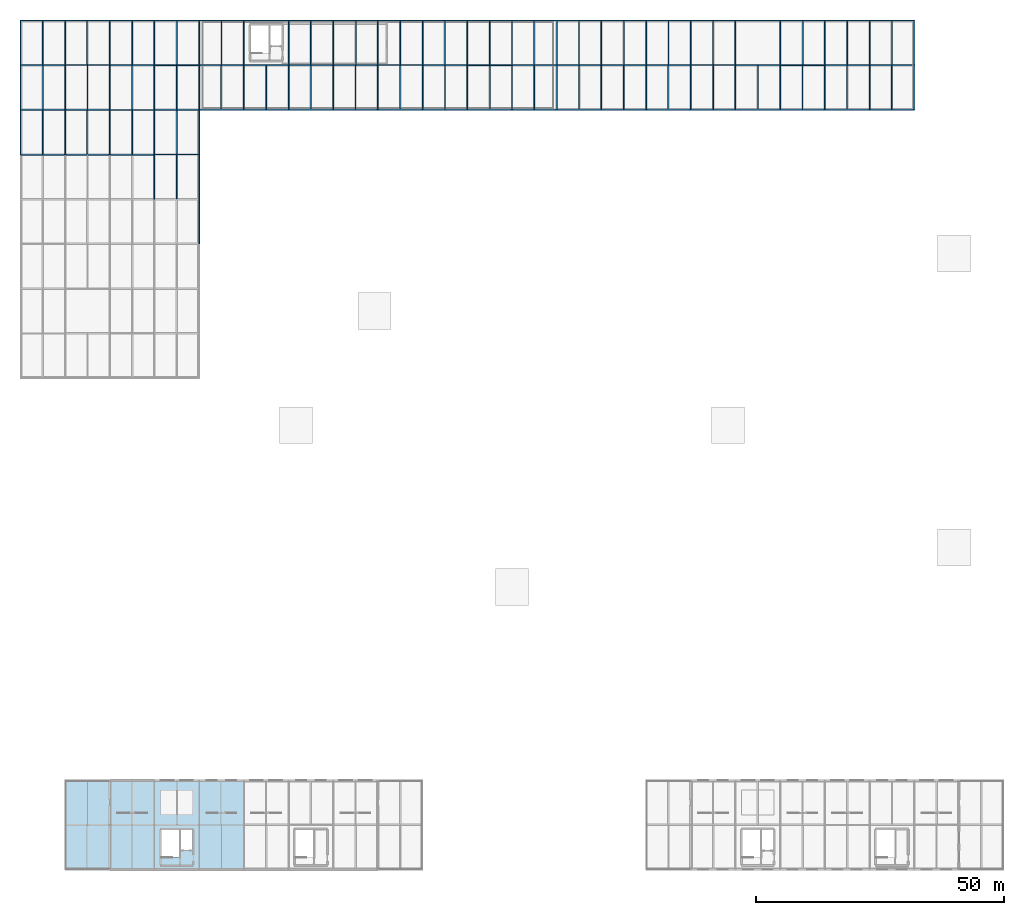
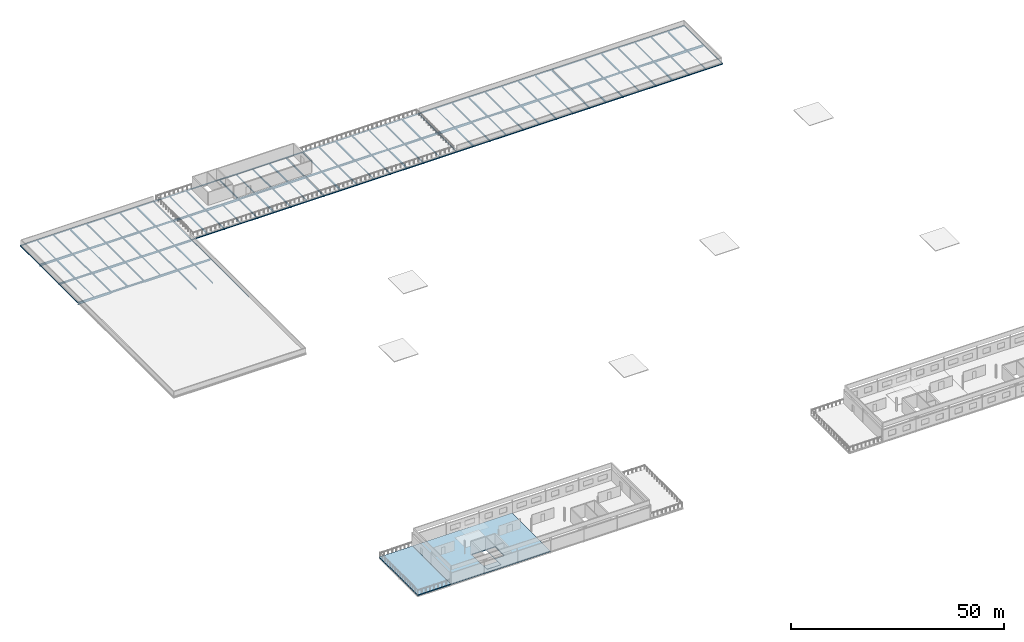
# One storey, part 7 of 18: 157 beams, 3 slabs.
"""IFC4 building model written with IfcOpenShell, lengths in metres."""

from ifc_helpers import new_model, si_unit, direction, frame, origin, origin_2d, place, context, subcontext, project, spatial, polyline, hollow_rectangle, i_section, outline, extrude, material, layer, layer_set, material_profile, profile_set, type_object, element, save


model = new_model("IFC4")

# Units and contexts
model_context = context("Model", 3, precision=1e-05, world=origin(), true_north=direction((0.0, 1.0)))
body_context = subcontext(model_context, "Body", "Model", "MODEL_VIEW")
ifc_project = project(units=[si_unit("LENGTHUNIT", "METRE"), si_unit("AREAUNIT", "SQUARE_METRE"), si_unit("VOLUMEUNIT", "CUBIC_METRE"), si_unit("PLANEANGLEUNIT", "RADIAN"), si_unit("MASSUNIT", "GRAM", prefix="KILO")], contexts=[model_context])

# Site, building, storey
site_placement = place(None, origin())
site = spatial("IfcSite", under=ifc_project, at=site_placement, CompositionType="ELEMENT")
building_placement = place(site_placement, origin())
building = spatial("IfcBuilding", under=site, at=building_placement, Name="Kildeholm Park Wholesale Market", CompositionType="ELEMENT")
storey_placement = place(building_placement, frame((0.0, 0.0, 13.5)))
storey = spatial("IfcBuildingStorey", under=building, at=storey_placement, Name="L03", CompositionType="ELEMENT", Elevation=13.5)

# Beams
ifc_material_1 = material(Name="Steel S355", Category="steel")
ifc_material_profile_1 = material_profile(ifc_material_1, i_section(OverallWidth=0.18994140625, OverallDepth=0.449951171875, WebThickness=0.009521484375, FlangeThickness=0.0146484375, FilletRadius=0.02099609375, at=origin_2d()), Name="IPE 450")
ifc_profile_set_1 = profile_set([ifc_material_profile_1], Name="Steel S355")
beam_type_1 = type_object("IfcBeamType", Name="Beam B-P02 IPE 450", PredefinedType="BEAM", material=ifc_profile_set_1)
for number, where, z_axis, x_axis, name in (
    (1, (45.0, 153.0, -0.514892578125), (0.0, 1.0, 0.0), (-1.0, 0.0, 0.0), "Beam BM-V4-L03-Y-045-153 BM-1058"),
    (2, (45.0, 162.0, -0.514892578125), (0.0, 1.0, 0.0), (-1.0, 0.0, 0.0), "Beam BM-V4-L03-Y-045-162 BM-1061"),
    (3, (54.0, 153.0, -0.514892578125), (0.0, 1.0, 0.0), (-1.0, 0.0, 0.0), "Beam BM-V4-L03-Y-054-153 BM-1064"),
    (4, (54.0, 162.0, -0.514892578125), (0.0, 1.0, 0.0), (-1.0, 0.0, 0.0), "Beam BM-V4-L03-Y-054-162 BM-1067"),
    (5, (63.0, 153.0, -0.514892578125), (0.0, 1.0, 0.0), (-1.0, 0.0, 0.0), "Beam BM-V4-L03-Y-063-153 BM-1071"),
    (6, (63.0, 162.0, -0.514892578125), (0.0, 1.0, 0.0), (-1.0, 0.0, 0.0), "Beam BM-V4-L03-Y-063-162 BM-1074"),
    (7, (72.0, 153.0, -0.514892578125), (0.0, 1.0, 0.0), (-1.0, 0.0, 0.0), "Beam BM-V4-L03-Y-072-153 BM-1078"),
    (8, (72.0, 162.0, -0.514892578125), (0.0, 1.0, 0.0), (-1.0, 0.0, 0.0), "Beam BM-V4-L03-Y-072-162 BM-1081"),
    (9, (81.0, 153.0, -0.514892578125), (0.0, 1.0, 0.0), (-1.0, 0.0, 0.0), "Beam BM-V4-L03-Y-081-153 BM-1085"),
    (10, (81.0, 162.0, -0.514892578125), (0.0, 1.0, 0.0), (-1.0, 0.0, 0.0), "Beam BM-V4-L03-Y-081-162 BM-1088"),
    (11, (90.0, 153.0, -0.514892578125), (0.0, 1.0, 0.0), (-1.0, 0.0, 0.0), "Beam BM-V4-L03-Y-090-153 BM-1092"),
    (12, (90.0, 162.0, -0.514892578125), (0.0, 1.0, 0.0), (-1.0, 0.0, 0.0), "Beam BM-V4-L03-Y-090-162 BM-1095"),
    (13, (99.0, 153.0, -0.514892578125), (0.0, 1.0, 0.0), (-1.0, 0.0, 0.0), "Beam BM-V4-L03-Y-099-153 BM-1099"),
    (14, (99.0, 162.0, -0.514892578125), (0.0, 1.0, 0.0), (-1.0, 0.0, 0.0), "Beam BM-V4-L03-Y-099-162 BM-1102"),
    (15, (117.0, 153.0, -0.5048828125), (0.0, 1.0, 0.0), (-1.0, 0.0, 0.0), "Beam BM-V4-L03-Y-117-153 BM-1113"),
    (16, (117.0, 162.0, -0.5048828125), (0.0, 1.0, 0.0), (-1.0, 0.0, 0.0), "Beam BM-V4-L03-Y-117-162 BM-1116"),
    (17, (126.0, 153.0, -0.5048828125), (0.0, 1.0, 0.0), (-1.0, 0.0, 0.0), "Beam BM-V4-L03-Y-126-153 BM-1120"),
    (18, (126.0, 162.0, -0.5048828125), (0.0, 1.0, 0.0), (-1.0, 0.0, 0.0), "Beam BM-V4-L03-Y-126-162 BM-1123"),
    (19, (135.0, 153.0, -0.5048828125), (0.0, 1.0, 0.0), (-1.0, 0.0, 0.0), "Beam BM-V4-L03-Y-135-153 BM-1127"),
    (20, (135.0, 162.0, -0.5048828125), (0.0, 1.0, 0.0), (-1.0, 0.0, 0.0), "Beam BM-V4-L03-Y-135-162 BM-1130"),
    (21, (144.0, 153.0, -0.5048828125), (0.0, 1.0, 0.0), (-1.0, 0.0, 0.0), "Beam BM-V4-L03-Y-144-153 BM-1134"),
    (22, (144.0, 162.0, -0.5048828125), (0.0, 1.0, 0.0), (-1.0, 0.0, 0.0), "Beam BM-V4-L03-Y-144-162 BM-1137"),
    (23, (153.0, 153.0, -0.5048828125), (0.0, 1.0, 0.0), (-1.0, 0.0, 0.0), "Beam BM-V4-L03-Y-153-153 BM-1140"),
    (24, (153.0, 162.0, -0.5048828125), (0.0, 1.0, 0.0), (-1.0, 0.0, 0.0), "Beam BM-V4-L03-Y-153-162 BM-1143"),
    (25, (162.0, 153.0, -0.5048828125), (0.0, 1.0, 0.0), (-1.0, 0.0, 0.0), "Beam BM-V4-L03-Y-162-153 BM-1147"),
    (26, (162.0, 162.0, -0.5048828125), (0.0, 1.0, 0.0), (-1.0, 0.0, 0.0), "Beam BM-V4-L03-Y-162-162 BM-1150"),
    (27, (171.0, 153.0, -0.5048828125), (0.0, 1.0, 0.0), (-1.0, 0.0, 0.0), "Beam BM-V4-L03-Y-171-153 BM-1154"),
    (28, (171.0, 162.0, -0.5048828125), (0.0, 1.0, 0.0), (-1.0, 0.0, 0.0), "Beam BM-V4-L03-Y-171-162 BM-1157"),
    (29, (9.0, 144.0, -0.5048828125), (0.0, 1.0, 0.0), (-1.0, 0.0, 0.0), "Beam BM-V4-L03-Y-009-144 BM-1202"),
    (30, (9.0, 153.0, -0.5048828125), (0.0, 1.0, 0.0), (-1.0, 0.0, 0.0), "Beam BM-V4-L03-Y-009-153 BM-1205"),
    (31, (9.0, 162.0, -0.5048828125), (0.0, 1.0, 0.0), (-1.0, 0.0, 0.0), "Beam BM-V4-L03-Y-009-162 BM-1208"),
    (32, (18.0, 144.0, -0.5048828125), (0.0, 1.0, 0.0), (-1.0, 0.0, 0.0), "Beam BM-V4-L03-Y-018-144 BM-1227"),
    (33, (18.0, 153.0, -0.5048828125), (0.0, 1.0, 0.0), (-1.0, 0.0, 0.0), "Beam BM-V4-L03-Y-018-153 BM-1230"),
    (34, (18.0, 162.0, -0.5048828125), (0.0, 1.0, 0.0), (-1.0, 0.0, 0.0), "Beam BM-V4-L03-Y-018-162 BM-1233"),
    (35, (27.0, 135.0, -0.5048828125), (0.0, 1.0, 0.0), (-1.0, 0.0, 0.0), "Beam BM-V4-L03-Y-027-135 BM-1249"),
    (36, (27.0, 144.0, -0.5048828125), (0.0, 1.0, 0.0), (-1.0, 0.0, 0.0), "Beam BM-V4-L03-Y-027-144 BM-1252"),
    (37, (27.0, 153.0, -0.5048828125), (0.0, 1.0, 0.0), (-1.0, 0.0, 0.0), "Beam BM-V4-L03-Y-027-153 BM-1255"),
    (38, (27.0, 162.0, -0.5048828125), (0.0, 1.0, 0.0), (-1.0, 0.0, 0.0), "Beam BM-V4-L03-Y-027-162 BM-1258"),
):
    element("IfcBeam", number, at=place(storey_placement, frame(where, z_axis=z_axis, x_axis=x_axis)), inside=storey, type_object=beam_type_1, Name=name, PredefinedType="BEAM", context=body_context, shape_type="SweptSolid", body=[
        extrude(i_section(OverallWidth=0.18994140625, OverallDepth=0.449951171875, WebThickness=0.009521484375, FlangeThickness=0.0146484375, FilletRadius=0.02099609375, at=origin_2d()), origin(), (0.0, 0.0, 1.0), 9.0),
    ])
ifc_material_profile_2 = material_profile(ifc_material_1, i_section(OverallWidth=0.199951171875, OverallDepth=0.5, WebThickness=0.01025390625, FlangeThickness=0.01611328125, FilletRadius=0.02099609375, at=origin_2d()), Name="IPE 500")
ifc_profile_set_2 = profile_set([ifc_material_profile_2], Name="Steel S355")
beam_type_2 = type_object("IfcBeamType", Name="Beam B-P03 IPE 500", PredefinedType="BEAM", material=ifc_profile_set_2)
for number, where, z_axis, x_axis, name in (
    (39, (90.0, 162.0, -0.5400390625), (1.0, 0.0, 0.0), (0.0, 1.0, 0.0), "Beam BM-V4-L03-X-090-162 BM-1094"),
    (40, (153.0, 162.0, -0.530029296875), (1.0, 0.0, 0.0), (0.0, 1.0, 0.0), "Beam BM-V4-L03-X-153-162 BM-1142"),
    (41, (27.0, 162.0, -0.530029296875), (1.0, 0.0, 0.0), (0.0, 1.0, 0.0), "Beam BM-V4-L03-X-027-162 BM-1257"),
):
    element("IfcBeam", number, at=place(storey_placement, frame(where, z_axis=z_axis, x_axis=x_axis)), inside=storey, type_object=beam_type_2, Name=name, PredefinedType="BEAM", context=body_context, shape_type="SweptSolid", body=[
        extrude(i_section(OverallWidth=0.199951171875, OverallDepth=0.5, WebThickness=0.01025390625, FlangeThickness=0.01611328125, FilletRadius=0.02099609375, at=origin_2d()), origin(), (0.0, 0.0, 1.0), 9.0),
    ])
ifc_material_profile_3 = material_profile(ifc_material_1, i_section(OverallWidth=0.2099609375, OverallDepth=0.550048828125, WebThickness=0.010986328125, FlangeThickness=0.01708984375, FilletRadius=0.02392578125, at=origin_2d()), Name="IPE 550")
ifc_profile_set_3 = profile_set([ifc_material_profile_3], Name="Steel S355")
beam_type_3 = type_object("IfcBeamType", Name="Beam B-X01 IPE 550", PredefinedType="BEAM", material=ifc_profile_set_3)
for number, where, z_axis, x_axis, name in (
    (42, (72.0, 162.0, -0.56494140625), (1.0, 0.0, 0.0), (0.0, 1.0, 0.0), "Beam BM-V4-L03-X-072-162 BM-1080"),
    (43, (135.0, 162.0, -0.554931640625), (1.0, 0.0, 0.0), (0.0, 1.0, 0.0), "Beam BM-V4-L03-X-135-162 BM-1129"),
    (44, (9.0, 162.0, -0.554931640625), (1.0, 0.0, 0.0), (0.0, 1.0, 0.0), "Beam BM-V4-L03-X-009-162 BM-1207"),
    (45, (18.0, 153.0, -0.554931640625), (1.0, 0.0, 0.0), (0.0, 1.0, 0.0), "Beam BM-V4-L03-X-018-153 BM-1229"),
    (46, (27.0, 144.0, -0.554931640625), (1.0, 0.0, 0.0), (0.0, 1.0, 0.0), "Beam BM-V4-L03-X-027-144 BM-1251"),
):
    element("IfcBeam", number, at=place(storey_placement, frame(where, z_axis=z_axis, x_axis=x_axis)), inside=storey, type_object=beam_type_3, Name=name, PredefinedType="BEAM", context=body_context, shape_type="SweptSolid", body=[
        extrude(i_section(OverallWidth=0.2099609375, OverallDepth=0.550048828125, WebThickness=0.010986328125, FlangeThickness=0.01708984375, FilletRadius=0.02392578125, at=origin_2d()), origin(), (0.0, 0.0, 1.0), 9.0),
    ])
ifc_material_profile_4 = material_profile(ifc_material_1, i_section(OverallWidth=0.300048828125, OverallDepth=0.5400390625, WebThickness=0.012451171875, FlangeThickness=0.02392578125, FilletRadius=0.027099609375, at=origin_2d()), Name="HEA 550")
ifc_profile_set_4 = profile_set([ifc_material_profile_4], Name="Steel S355")
beam_type_4 = type_object("IfcBeamType", Name="Beam B-X02 HEA 550", PredefinedType="BEAM", material=ifc_profile_set_4)
for number, where, z_axis, x_axis, name in (
    (47, (81.0, 162.0, -0.56005859375), (1.0, 0.0, 0.0), (0.0, 1.0, 0.0), "Beam BM-V4-L03-X-081-162 BM-1087"),
    (48, (144.0, 162.0, -0.550048828125), (1.0, 0.0, 0.0), (0.0, 1.0, 0.0), "Beam BM-V4-L03-X-144-162 BM-1136"),
    (49, (18.0, 162.0, -0.550048828125), (1.0, 0.0, 0.0), (0.0, 1.0, 0.0), "Beam BM-V4-L03-X-018-162 BM-1232"),
    (50, (27.0, 153.0, -0.550048828125), (1.0, 0.0, 0.0), (0.0, 1.0, 0.0), "Beam BM-V4-L03-X-027-153 BM-1254"),
):
    element("IfcBeam", number, at=place(storey_placement, frame(where, z_axis=z_axis, x_axis=x_axis)), inside=storey, type_object=beam_type_4, Name=name, PredefinedType="BEAM", context=body_context, shape_type="SweptSolid", body=[
        extrude(i_section(OverallWidth=0.300048828125, OverallDepth=0.5400390625, WebThickness=0.012451171875, FlangeThickness=0.02392578125, FilletRadius=0.027099609375, at=origin_2d()), origin(), (0.0, 0.0, 1.0), 9.0),
    ])
ifc_material_profile_5 = material_profile(ifc_material_1, i_section(OverallWidth=0.300048828125, OverallDepth=0.550048828125, WebThickness=0.014892578125, FlangeThickness=0.029052734375, FilletRadius=0.027099609375, at=origin_2d()), Name="HEB 550")
ifc_profile_set_5 = profile_set([ifc_material_profile_5], Name="Steel S355")
beam_type_5 = type_object("IfcBeamType", Name="Beam B-X03 HEB 550", PredefinedType="BEAM", material=ifc_profile_set_5)
for number, where, z_axis, x_axis, name in (
    (51, (36.0, 162.0, -0.56494140625), (1.0, 0.0, 0.0), (0.0, 1.0, 0.0), "Beam BM-V4-L03-X-036-162 BM-1053"),
    (52, (99.0, 162.0, -0.56494140625), (1.0, 0.0, 0.0), (0.0, 1.0, 0.0), "Beam BM-V4-L03-X-099-162 BM-1101"),
    (53, (162.0, 162.0, -0.554931640625), (1.0, 0.0, 0.0), (0.0, 1.0, 0.0), "Beam BM-V4-L03-X-162-162 BM-1149"),
):
    element("IfcBeam", number, at=place(storey_placement, frame(where, z_axis=z_axis, x_axis=x_axis)), inside=storey, type_object=beam_type_5, Name=name, PredefinedType="BEAM", context=body_context, shape_type="SweptSolid", body=[
        extrude(i_section(OverallWidth=0.300048828125, OverallDepth=0.550048828125, WebThickness=0.014892578125, FlangeThickness=0.029052734375, FilletRadius=0.027099609375, at=origin_2d()), origin(), (0.0, 0.0, 1.0), 9.0),
    ])
ifc_material_profile_6 = material_profile(ifc_material_1, i_section(OverallWidth=0.300048828125, OverallDepth=0.64990234375, WebThickness=0.01611328125, FlangeThickness=0.031005859375, FilletRadius=0.027099609375, at=origin_2d()), Name="HEB 650")
ifc_profile_set_6 = profile_set([ifc_material_profile_6], Name="Steel S355")
beam_type_6 = type_object("IfcBeamType", Name="Beam B-X04 HEB 650", PredefinedType="BEAM", material=ifc_profile_set_6)
for number, where, z_axis, x_axis, name in (
    (54, (45.0, 162.0, -0.614990234375), (1.0, 0.0, 0.0), (0.0, 1.0, 0.0), "Beam BM-V4-L03-X-045-162 BM-1060"),
    (55, (108.0, 162.0, -0.60498046875), (1.0, 0.0, 0.0), (0.0, 1.0, 0.0), "Beam BM-V4-L03-X-108-162 BM-1109"),
    (56, (171.0, 162.0, -0.60498046875), (1.0, 0.0, 0.0), (0.0, 1.0, 0.0), "Beam BM-V4-L03-X-171-162 BM-1156"),
    (57, (0.0, 144.0, -0.60498046875), (1.0, 0.0, 0.0), (0.0, 1.0, 0.0), "Beam BM-V4-L03-X-000-144 BM-1177"),
):
    element("IfcBeam", number, at=place(storey_placement, frame(where, z_axis=z_axis, x_axis=x_axis)), inside=storey, type_object=beam_type_6, Name=name, PredefinedType="BEAM", context=body_context, shape_type="SweptSolid", body=[
        extrude(i_section(OverallWidth=0.300048828125, OverallDepth=0.64990234375, WebThickness=0.01611328125, FlangeThickness=0.031005859375, FilletRadius=0.027099609375, at=origin_2d()), origin(), (0.0, 0.0, 1.0), 9.0),
    ])
ifc_material_profile_7 = material_profile(ifc_material_1, i_section(OverallWidth=0.300048828125, OverallDepth=0.5, WebThickness=0.014404296875, FlangeThickness=0.028076171875, FilletRadius=0.027099609375, at=origin_2d()), Name="HEB 500")
ifc_profile_set_7 = profile_set([ifc_material_profile_7], Name="Steel S355")
beam_type_7 = type_object("IfcBeamType", Name="Beam B-X05 HEB 500", PredefinedType="BEAM", material=ifc_profile_set_7)
for number, where, z_axis, x_axis, name in (
    (58, (54.0, 162.0, -0.5400390625), (1.0, 0.0, 0.0), (0.0, 1.0, 0.0), "Beam BM-V4-L03-X-054-162 BM-1066"),
    (59, (117.0, 162.0, -0.530029296875), (1.0, 0.0, 0.0), (0.0, 1.0, 0.0), "Beam BM-V4-L03-X-117-162 BM-1115"),
    (60, (0.0, 153.0, -0.530029296875), (1.0, 0.0, 0.0), (0.0, 1.0, 0.0), "Beam BM-V4-L03-X-000-153 BM-1180"),
    (61, (9.0, 144.0, -0.530029296875), (1.0, 0.0, 0.0), (0.0, 1.0, 0.0), "Beam BM-V4-L03-X-009-144 BM-1201"),
):
    element("IfcBeam", number, at=place(storey_placement, frame(where, z_axis=z_axis, x_axis=x_axis)), inside=storey, type_object=beam_type_7, Name=name, PredefinedType="BEAM", context=body_context, shape_type="SweptSolid", body=[
        extrude(i_section(OverallWidth=0.300048828125, OverallDepth=0.5, WebThickness=0.014404296875, FlangeThickness=0.028076171875, FilletRadius=0.027099609375, at=origin_2d()), origin(), (0.0, 0.0, 1.0), 9.0),
    ])
ifc_material_profile_8 = material_profile(ifc_material_1, i_section(OverallWidth=0.300048828125, OverallDepth=0.60009765625, WebThickness=0.015380859375, FlangeThickness=0.030029296875, FilletRadius=0.027099609375, at=origin_2d()), Name="HEB 600")
ifc_profile_set_8 = profile_set([ifc_material_profile_8], Name="Steel S355")
beam_type_8 = type_object("IfcBeamType", Name="Beam B-X06 HEB 600", PredefinedType="BEAM", material=ifc_profile_set_8)
for number, where, z_axis, x_axis, name in (
    (62, (63.0, 162.0, -0.590087890625), (1.0, 0.0, 0.0), (0.0, 1.0, 0.0), "Beam BM-V4-L03-X-063-162 BM-1073"),
    (63, (126.0, 162.0, -0.580078125), (1.0, 0.0, 0.0), (0.0, 1.0, 0.0), "Beam BM-V4-L03-X-126-162 BM-1122"),
    (64, (0.0, 162.0, -0.580078125), (1.0, 0.0, 0.0), (0.0, 1.0, 0.0), "Beam BM-V4-L03-X-000-162 BM-1183"),
    (65, (9.0, 153.0, -0.580078125), (1.0, 0.0, 0.0), (0.0, 1.0, 0.0), "Beam BM-V4-L03-X-009-153 BM-1204"),
    (66, (18.0, 144.0, -0.580078125), (1.0, 0.0, 0.0), (0.0, 1.0, 0.0), "Beam BM-V4-L03-X-018-144 BM-1226"),
):
    element("IfcBeam", number, at=place(storey_placement, frame(where, z_axis=z_axis, x_axis=x_axis)), inside=storey, type_object=beam_type_8, Name=name, PredefinedType="BEAM", context=body_context, shape_type="SweptSolid", body=[
        extrude(i_section(OverallWidth=0.300048828125, OverallDepth=0.60009765625, WebThickness=0.015380859375, FlangeThickness=0.030029296875, FilletRadius=0.027099609375, at=origin_2d()), origin(), (0.0, 0.0, 1.0), 9.0),
    ])
ifc_material_profile_9 = material_profile(ifc_material_1, i_section(OverallWidth=0.159912109375, OverallDepth=0.330078125, WebThickness=0.007568359375, FlangeThickness=0.011474609375, FilletRadius=0.01806640625, at=origin_2d()), Name="IPE 330")
ifc_profile_set_9 = profile_set([ifc_material_profile_9], Name="Steel S355")
beam_type_9 = type_object("IfcBeamType", Name="Beam J-03 IPE 330", PredefinedType="JOIST", material=ifc_profile_set_9)
for number, where, z_axis, x_axis, name in (
    (67, (40.5, 162.0849609375, -0.455078125), (0.0, 1.0, 0.0), (-1.0, 0.0, 0.0), "Beam JT-V4-L03-036-162 BM-1055"),
    (68, (49.5, 153.0849609375, -0.455078125), (0.0, 1.0, 0.0), (-1.0, 0.0, 0.0), "Beam JT-V4-L03-045-153 BM-1059"),
    (69, (58.5, 162.0849609375, -0.455078125), (0.0, 1.0, 0.0), (-1.0, 0.0, 0.0), "Beam JT-V4-L03-054-162 BM-1068"),
    (70, (67.5, 153.0849609375, -0.455078125), (0.0, 1.0, 0.0), (-1.0, 0.0, 0.0), "Beam JT-V4-L03-063-153 BM-1072"),
    (71, (76.5, 162.0849609375, -0.455078125), (0.0, 1.0, 0.0), (-1.0, 0.0, 0.0), "Beam JT-V4-L03-072-162 BM-1082"),
    (72, (85.5, 153.0849609375, -0.455078125), (0.0, 1.0, 0.0), (-1.0, 0.0, 0.0), "Beam JT-V4-L03-081-153 BM-1086"),
    (73, (94.5, 162.0849609375, -0.455078125), (0.0, 1.0, 0.0), (-1.0, 0.0, 0.0), "Beam JT-V4-L03-090-162 BM-1096"),
    (74, (103.5, 153.0849609375, -0.455078125), (0.0, 1.0, 0.0), (-1.0, 0.0, 0.0), "Beam JT-V4-L03-099-153 BM-1100"),
    (75, (112.5, 162.0849609375, -0.445068359375), (0.0, 1.0, 0.0), (-1.0, 0.0, 0.0), "Beam JT-V4-L03-108-162 BM-1110"),
    (76, (121.5, 153.0849609375, -0.445068359375), (0.0, 1.0, 0.0), (-1.0, 0.0, 0.0), "Beam JT-V4-L03-117-153 BM-1114"),
    (77, (130.5, 162.0849609375, -0.445068359375), (0.0, 1.0, 0.0), (-1.0, 0.0, 0.0), "Beam JT-V4-L03-126-162 BM-1124"),
    (78, (139.5, 153.0849609375, -0.445068359375), (0.0, 1.0, 0.0), (-1.0, 0.0, 0.0), "Beam JT-V4-L03-135-153 BM-1128"),
    (79, (157.5, 153.0849609375, -0.445068359375), (0.0, 1.0, 0.0), (-1.0, 0.0, 0.0), "Beam JT-V4-L03-153-153 BM-1141"),
    (80, (166.5, 162.0849609375, -0.445068359375), (0.0, 1.0, 0.0), (-1.0, 0.0, 0.0), "Beam JT-V4-L03-162-162 BM-1151"),
    (81, (175.5, 153.0849609375, -0.445068359375), (0.0, 1.0, 0.0), (-1.0, 0.0, 0.0), "Beam JT-V4-L03-171-153 BM-1155"),
    (82, (4.5, 144.0849609375, -0.445068359375), (0.0, 1.0, 0.0), (-1.0, 0.0, 0.0), "Beam JT-V4-L03-000-144 BM-1179"),
    (83, (4.5, 162.0849609375, -0.445068359375), (0.0, 1.0, 0.0), (-1.0, 0.0, 0.0), "Beam JT-V4-L03-000-162 BM-1185"),
    (84, (13.5, 153.0849609375, -0.445068359375), (0.0, 1.0, 0.0), (-1.0, 0.0, 0.0), "Beam JT-V4-L03-009-153 BM-1206"),
    (85, (22.5, 144.0849609375, -0.445068359375), (0.0, 1.0, 0.0), (-1.0, 0.0, 0.0), "Beam JT-V4-L03-018-144 BM-1228"),
    (86, (22.5, 162.0849609375, -0.445068359375), (0.0, 1.0, 0.0), (-1.0, 0.0, 0.0), "Beam JT-V4-L03-018-162 BM-1234"),
    (87, (31.5, 135.0849609375, -0.445068359375), (0.0, 1.0, 0.0), (-1.0, 0.0, 0.0), "Beam JT-V4-L03-027-135 BM-1250"),
    (88, (31.5, 153.0849609375, -0.445068359375), (0.0, 1.0, 0.0), (-1.0, 0.0, 0.0), "Beam JT-V4-L03-027-153 BM-1256"),
):
    element("IfcBeam", number, at=place(storey_placement, frame(where, z_axis=z_axis, x_axis=x_axis)), inside=storey, type_object=beam_type_9, Name=name, PredefinedType="JOIST", context=body_context, shape_type="SweptSolid", body=[
        extrude(i_section(OverallWidth=0.159912109375, OverallDepth=0.330078125, WebThickness=0.007568359375, FlangeThickness=0.011474609375, FilletRadius=0.01806640625, at=origin_2d()), origin(), (0.0, 0.0, 1.0), 8.830078125),
    ])
ifc_material_profile_10 = material_profile(ifc_material_1, i_section(OverallWidth=0.300048828125, OverallDepth=0.389892578125, WebThickness=0.010986328125, FlangeThickness=0.01904296875, FilletRadius=0.027099609375, at=origin_2d()), Name="HEA 400")
ifc_profile_set_10 = profile_set([ifc_material_profile_10], Name="Steel S355")
beam_type_10 = type_object("IfcBeamType", Name="Beam J-06 HEA 400", PredefinedType="JOIST", material=ifc_profile_set_10)
for number, where, z_axis, x_axis, name in (
    (89, (40.5, 153.0849609375, -0.485107421875), (0.0, 1.0, 0.0), (-1.0, 0.0, 0.0), "Beam JT-V4-L03-036-153 BM-1052"),
    (90, (58.5, 153.0849609375, -0.485107421875), (0.0, 1.0, 0.0), (-1.0, 0.0, 0.0), "Beam JT-V4-L03-054-153 BM-1065"),
    (91, (67.5, 162.0849609375, -0.485107421875), (0.0, 1.0, 0.0), (-1.0, 0.0, 0.0), "Beam JT-V4-L03-063-162 BM-1075"),
    (92, (76.5, 153.0849609375, -0.485107421875), (0.0, 1.0, 0.0), (-1.0, 0.0, 0.0), "Beam JT-V4-L03-072-153 BM-1079"),
    (93, (85.5, 162.0849609375, -0.485107421875), (0.0, 1.0, 0.0), (-1.0, 0.0, 0.0), "Beam JT-V4-L03-081-162 BM-1089"),
    (94, (94.5, 153.0849609375, -0.485107421875), (0.0, 1.0, 0.0), (-1.0, 0.0, 0.0), "Beam JT-V4-L03-090-153 BM-1093"),
    (95, (103.5, 162.0849609375, -0.485107421875), (0.0, 1.0, 0.0), (-1.0, 0.0, 0.0), "Beam JT-V4-L03-099-162 BM-1103"),
    (96, (112.5, 153.0849609375, -0.47509765625), (0.0, 1.0, 0.0), (-1.0, 0.0, 0.0), "Beam JT-V4-L03-108-153 BM-1108"),
    (97, (121.5, 162.0849609375, -0.47509765625), (0.0, 1.0, 0.0), (-1.0, 0.0, 0.0), "Beam JT-V4-L03-117-162 BM-1117"),
    (98, (130.5, 153.0849609375, -0.47509765625), (0.0, 1.0, 0.0), (-1.0, 0.0, 0.0), "Beam JT-V4-L03-126-153 BM-1121"),
    (99, (139.5, 162.0849609375, -0.47509765625), (0.0, 1.0, 0.0), (-1.0, 0.0, 0.0), "Beam JT-V4-L03-135-162 BM-1131"),
    (100, (148.5, 153.0849609375, -0.47509765625), (0.0, 1.0, 0.0), (-1.0, 0.0, 0.0), "Beam JT-V4-L03-144-153 BM-1135"),
    (101, (157.5, 162.0849609375, -0.47509765625), (0.0, 1.0, 0.0), (-1.0, 0.0, 0.0), "Beam JT-V4-L03-153-162 BM-1144"),
    (102, (166.5, 153.0849609375, -0.47509765625), (0.0, 1.0, 0.0), (-1.0, 0.0, 0.0), "Beam JT-V4-L03-162-153 BM-1148"),
    (103, (175.5, 162.0849609375, -0.47509765625), (0.0, 1.0, 0.0), (-1.0, 0.0, 0.0), "Beam JT-V4-L03-171-162 BM-1158"),
    (104, (4.5, 153.0849609375, -0.47509765625), (0.0, 1.0, 0.0), (-1.0, 0.0, 0.0), "Beam JT-V4-L03-000-153 BM-1182"),
    (105, (13.5, 144.0849609375, -0.47509765625), (0.0, 1.0, 0.0), (-1.0, 0.0, 0.0), "Beam JT-V4-L03-009-144 BM-1203"),
    (106, (13.5, 162.0849609375, -0.47509765625), (0.0, 1.0, 0.0), (-1.0, 0.0, 0.0), "Beam JT-V4-L03-009-162 BM-1209"),
    (107, (22.5, 153.0849609375, -0.47509765625), (0.0, 1.0, 0.0), (-1.0, 0.0, 0.0), "Beam JT-V4-L03-018-153 BM-1231"),
    (108, (31.5, 144.0849609375, -0.47509765625), (0.0, 1.0, 0.0), (-1.0, 0.0, 0.0), "Beam JT-V4-L03-027-144 BM-1253"),
    (109, (31.5, 162.0849609375, -0.47509765625), (0.0, 1.0, 0.0), (-1.0, 0.0, 0.0), "Beam JT-V4-L03-027-162 BM-1259"),
):
    element("IfcBeam", number, at=place(storey_placement, frame(where, z_axis=z_axis, x_axis=x_axis)), inside=storey, type_object=beam_type_10, Name=name, PredefinedType="JOIST", context=body_context, shape_type="SweptSolid", body=[
        extrude(i_section(OverallWidth=0.300048828125, OverallDepth=0.389892578125, WebThickness=0.010986328125, FlangeThickness=0.01904296875, FilletRadius=0.027099609375, at=origin_2d()), origin(), (0.0, 0.0, 1.0), 8.830078125),
    ])
ifc_material_profile_11 = material_profile(ifc_material_1, hollow_rectangle(XDim=0.199951171875, YDim=0.300048828125, WallThickness=0.012451171875, InnerFilletRadius=0.012451171875, OuterFilletRadius=0.02490234375, at=origin_2d()), Name="RHS 300x200x12.5")
ifc_profile_set_11 = profile_set([ifc_material_profile_11], Name="Steel S355")
beam_type_11 = type_object("IfcBeamType", Name="Beam SP-01 RHS 300x200x12.5", PredefinedType="SPANDREL", material=ifc_profile_set_11)
for number, where, z_axis, x_axis, name in (
    (110, (36.0, 153.0, -0.43994140625), (1.0, 0.0, 0.0), (0.0, 1.0, 0.0), "Beam BM-V4-L03-X-036-153 BM-1050"),
    (111, (36.0, 171.0, -0.43994140625), (1.0, 0.0, 0.0), (0.0, 1.0, 0.0), "Beam BM-V4-L03-X-036-171 BM-1056"),
    (112, (45.0, 153.0, -0.43994140625), (1.0, 0.0, 0.0), (0.0, 1.0, 0.0), "Beam BM-V4-L03-X-045-153 BM-1057"),
    (113, (45.0, 171.0, -0.43994140625), (1.0, 0.0, 0.0), (0.0, 1.0, 0.0), "Beam BM-V4-L03-X-045-171 BM-1062"),
    (114, (54.0, 153.0, -0.43994140625), (1.0, 0.0, 0.0), (0.0, 1.0, 0.0), "Beam BM-V4-L03-X-054-153 BM-1063"),
    (115, (54.0, 171.0, -0.43994140625), (1.0, 0.0, 0.0), (0.0, 1.0, 0.0), "Beam BM-V4-L03-X-054-171 BM-1069"),
    (116, (63.0, 153.0, -0.43994140625), (1.0, 0.0, 0.0), (0.0, 1.0, 0.0), "Beam BM-V4-L03-X-063-153 BM-1070"),
    (117, (63.0, 171.0, -0.43994140625), (1.0, 0.0, 0.0), (0.0, 1.0, 0.0), "Beam BM-V4-L03-X-063-171 BM-1076"),
    (118, (72.0, 153.0, -0.43994140625), (1.0, 0.0, 0.0), (0.0, 1.0, 0.0), "Beam BM-V4-L03-X-072-153 BM-1077"),
    (119, (72.0, 171.0, -0.43994140625), (1.0, 0.0, 0.0), (0.0, 1.0, 0.0), "Beam BM-V4-L03-X-072-171 BM-1083"),
    (120, (81.0, 153.0, -0.43994140625), (1.0, 0.0, 0.0), (0.0, 1.0, 0.0), "Beam BM-V4-L03-X-081-153 BM-1084"),
    (121, (81.0, 171.0, -0.43994140625), (1.0, 0.0, 0.0), (0.0, 1.0, 0.0), "Beam BM-V4-L03-X-081-171 BM-1090"),
    (122, (90.0, 153.0, -0.43994140625), (1.0, 0.0, 0.0), (0.0, 1.0, 0.0), "Beam BM-V4-L03-X-090-153 BM-1091"),
    (123, (90.0, 171.0, -0.43994140625), (1.0, 0.0, 0.0), (0.0, 1.0, 0.0), "Beam BM-V4-L03-X-090-171 BM-1097"),
    (124, (99.0, 153.0, -0.43994140625), (1.0, 0.0, 0.0), (0.0, 1.0, 0.0), "Beam BM-V4-L03-X-099-153 BM-1098"),
    (125, (99.0, 171.0, -0.43994140625), (1.0, 0.0, 0.0), (0.0, 1.0, 0.0), "Beam BM-V4-L03-X-099-171 BM-1104"),
    (126, (108.0, 153.0, -0.429931640625), (1.0, 0.0, 0.0), (0.0, 1.0, 0.0), "Beam BM-V4-L03-X-108-153 BM-1107"),
    (127, (108.0, 171.0, -0.429931640625), (1.0, 0.0, 0.0), (0.0, 1.0, 0.0), "Beam BM-V4-L03-X-108-171 BM-1111"),
    (128, (117.0, 153.0, -0.429931640625), (1.0, 0.0, 0.0), (0.0, 1.0, 0.0), "Beam BM-V4-L03-X-117-153 BM-1112"),
    (129, (117.0, 171.0, -0.429931640625), (1.0, 0.0, 0.0), (0.0, 1.0, 0.0), "Beam BM-V4-L03-X-117-171 BM-1118"),
    (130, (126.0, 153.0, -0.429931640625), (1.0, 0.0, 0.0), (0.0, 1.0, 0.0), "Beam BM-V4-L03-X-126-153 BM-1119"),
    (131, (126.0, 171.0, -0.429931640625), (1.0, 0.0, 0.0), (0.0, 1.0, 0.0), "Beam BM-V4-L03-X-126-171 BM-1125"),
    (132, (135.0, 153.0, -0.429931640625), (1.0, 0.0, 0.0), (0.0, 1.0, 0.0), "Beam BM-V4-L03-X-135-153 BM-1126"),
    (133, (135.0, 171.0, -0.429931640625), (1.0, 0.0, 0.0), (0.0, 1.0, 0.0), "Beam BM-V4-L03-X-135-171 BM-1132"),
    (134, (144.0, 153.0, -0.429931640625), (1.0, 0.0, 0.0), (0.0, 1.0, 0.0), "Beam BM-V4-L03-X-144-153 BM-1133"),
    (135, (144.0, 171.0, -0.429931640625), (1.0, 0.0, 0.0), (0.0, 1.0, 0.0), "Beam BM-V4-L03-X-144-171 BM-1138"),
    (136, (153.0, 153.0, -0.429931640625), (1.0, 0.0, 0.0), (0.0, 1.0, 0.0), "Beam BM-V4-L03-X-153-153 BM-1139"),
    (137, (153.0, 171.0, -0.429931640625), (1.0, 0.0, 0.0), (0.0, 1.0, 0.0), "Beam BM-V4-L03-X-153-171 BM-1145"),
    (138, (162.0, 153.0, -0.429931640625), (1.0, 0.0, 0.0), (0.0, 1.0, 0.0), "Beam BM-V4-L03-X-162-153 BM-1146"),
    (139, (162.0, 171.0, -0.429931640625), (1.0, 0.0, 0.0), (0.0, 1.0, 0.0), "Beam BM-V4-L03-X-162-171 BM-1152"),
    (140, (171.0, 153.0, -0.429931640625), (1.0, 0.0, 0.0), (0.0, 1.0, 0.0), "Beam BM-V4-L03-X-171-153 BM-1153"),
    (141, (171.0, 171.0, -0.429931640625), (1.0, 0.0, 0.0), (0.0, 1.0, 0.0), "Beam BM-V4-L03-X-171-171 BM-1159"),
    (142, (0.0, 171.0, -0.429931640625), (1.0, 0.0, 0.0), (0.0, 1.0, 0.0), "Beam BM-V4-L03-X-000-171 BM-1186"),
    (143, (9.0, 171.0, -0.429931640625), (1.0, 0.0, 0.0), (0.0, 1.0, 0.0), "Beam BM-V4-L03-X-009-171 BM-1210"),
    (144, (18.0, 171.0, -0.429931640625), (1.0, 0.0, 0.0), (0.0, 1.0, 0.0), "Beam BM-V4-L03-X-018-171 BM-1235"),
    (145, (27.0, 171.0, -0.429931640625), (1.0, 0.0, 0.0), (0.0, 1.0, 0.0), "Beam BM-V4-L03-X-027-171 BM-1260"),
):
    element("IfcBeam", number, at=place(storey_placement, frame(where, z_axis=z_axis, x_axis=x_axis)), inside=storey, type_object=beam_type_11, Name=name, PredefinedType="SPANDREL", context=body_context, shape_type="SweptSolid", body=[
        extrude(hollow_rectangle(XDim=0.199951171875, YDim=0.300048828125, WallThickness=0.012451171875, InnerFilletRadius=0.012451171875, OuterFilletRadius=0.02490234375, at=origin_2d()), origin(), (0.0, 0.0, 1.0), 9.0),
    ])
ifc_material_profile_12 = material_profile(ifc_material_1, hollow_rectangle(XDim=0.14990234375, YDim=0.25, WallThickness=0.010009765625, InnerFilletRadius=0.010009765625, OuterFilletRadius=0.02001953125, at=origin_2d()), Name="RHS 250x150x10")
ifc_profile_set_12 = profile_set([ifc_material_profile_12], Name="Steel S355")
beam_type_12 = type_object("IfcBeamType", Name="Beam SP-02 RHS 250x150x10", PredefinedType="SPANDREL", material=ifc_profile_set_12)
for number, where, z_axis, x_axis, name in (
    (146, (36.0, 153.0, -0.4150390625), (0.0, 1.0, 0.0), (-1.0, 0.0, 0.0), "Beam BM-V4-L03-Y-036-153 BM-1051"),
    (147, (36.0, 162.0, -0.4150390625), (0.0, 1.0, 0.0), (-1.0, 0.0, 0.0), "Beam BM-V4-L03-Y-036-162 BM-1054"),
    (148, (108.0, 153.0, -0.4150390625), (0.0, 1.0, 0.0), (-1.0, 0.0, 0.0), "Beam BM-V4-L03-Y-108-153 BM-1105"),
    (149, (108.0, 162.0, -0.4150390625), (0.0, 1.0, 0.0), (-1.0, 0.0, 0.0), "Beam BM-V4-L03-Y-108-162 BM-1106"),
    (150, (180.0, 153.0, -0.405029296875), (0.0, 1.0, 0.0), (-1.0, 0.0, 0.0), "Beam BM-V4-L03-Y-180-153 BM-1160"),
    (151, (180.0, 162.0, -0.405029296875), (0.0, 1.0, 0.0), (-1.0, 0.0, 0.0), "Beam BM-V4-L03-Y-180-162 BM-1161"),
    (152, (0.0, 144.0, -0.405029296875), (0.0, 1.0, 0.0), (-1.0, 0.0, 0.0), "Beam BM-V4-L03-Y-000-144 BM-1178"),
    (153, (0.0, 153.0, -0.405029296875), (0.0, 1.0, 0.0), (-1.0, 0.0, 0.0), "Beam BM-V4-L03-Y-000-153 BM-1181"),
    (154, (0.0, 162.0, -0.405029296875), (0.0, 1.0, 0.0), (-1.0, 0.0, 0.0), "Beam BM-V4-L03-Y-000-162 BM-1184"),
    (155, (36.0, 126.0, -0.405029296875), (0.0, 1.0, 0.0), (-1.0, 0.0, 0.0), "Beam BM-V4-L03-Y-036-126 BM-1264"),
    (156, (36.0, 135.0, -0.405029296875), (0.0, 1.0, 0.0), (-1.0, 0.0, 0.0), "Beam BM-V4-L03-Y-036-135 BM-1265"),
    (157, (36.0, 144.0, -0.405029296875), (0.0, 1.0, 0.0), (-1.0, 0.0, 0.0), "Beam BM-V4-L03-Y-036-144 BM-1266"),
):
    element("IfcBeam", number, at=place(storey_placement, frame(where, z_axis=z_axis, x_axis=x_axis)), inside=storey, type_object=beam_type_12, Name=name, PredefinedType="SPANDREL", context=body_context, shape_type="SweptSolid", body=[
        extrude(hollow_rectangle(XDim=0.14990234375, YDim=0.25, WallThickness=0.010009765625, InnerFilletRadius=0.010009765625, OuterFilletRadius=0.02001953125, at=origin_2d()), origin(), (0.0, 0.0, 1.0), 9.0),
    ])

# Slabs
ifc_material_2 = material(Name="Concrete C35/45", Category="concrete")
ifc_layer_1 = layer(ifc_material_2, 0.239990234375)
ifc_layer_set_1 = layer_set([ifc_layer_1], Name="Concrete C35/45")
slab_type_1 = type_object("IfcSlabType", Name="Slab S-FL2 240 mm", PredefinedType="FLOOR", material=ifc_layer_set_1)
slab_1_placement = place(storey_placement, frame((0.0, 0.0, -0.239990234375)))
element("IfcSlab", 158, at=slab_1_placement, inside=storey, type_object=slab_type_1, Name="V5W L03 slab M part 1 SLB-0376", PredefinedType="FLOOR", context=body_context, shape_type="SweptSolid", body=[
    extrude(outline(polyline([(18.0, 18.0), (45.0, 18.0), (45.0, 0.0), (18.0, 0.0), (18.0, 18.0)]), holes=[polyline([(28.320068359375, 8.080078125), (28.320068359375, 0.919921875), (32.179931640625, 0.919921875), (32.179931640625, 8.080078125), (28.320068359375, 8.080078125)]), polyline([(32.280029296875, 8.080078125), (32.280029296875, 3.820068359375), (34.679931640625, 3.820068359375), (34.679931640625, 8.080078125), (32.280029296875, 8.080078125)])]), origin(), (0.0, 0.0, 1.0), 0.239990234375),
])
ifc_material_3 = material(Name="Concrete C40/50", Category="concrete")
ifc_layer_2 = layer(ifc_material_3, 0.2900390625)
ifc_layer_set_2 = layer_set([ifc_layer_2], Name="Concrete C40/50")
slab_type_2 = type_object("IfcSlabType", Name="Slab S-TR1 290 mm", PredefinedType="ROOF", material=ifc_layer_set_2)
slab_2_placement = place(storey_placement, frame((0.0, 0.0, -0.2900390625)))
element("IfcSlab", 159, at=slab_2_placement, inside=storey, type_object=slab_type_2, Name="V5W L03 slab TERW part 1 SLB-0374", PredefinedType="ROOF", context=body_context, shape_type="SweptSolid", body=[
    extrude(outline(polyline([(9.0, 18.0), (18.0, 18.0), (18.0, 0.0), (9.0, 0.0), (9.0, 18.0)])), origin(), (0.0, 0.0, 1.0), 0.2900390625),
])
ifc_layer_3 = layer(ifc_material_2, 0.239990234375)
ifc_layer_set_3 = layer_set([ifc_layer_3], Name="Concrete C35/45")
slab_type_3 = type_object("IfcSlabType", Name="Stair landing slab S-LD1 240 mm", PredefinedType="LANDING", material=ifc_layer_set_3)
slab_3_placement = place(storey_placement, frame((0.0, 0.0, -0.239990234375)))
element("IfcSlab", 160, at=slab_3_placement, inside=storey, type_object=slab_type_3, Name="Core C04 stair landing slab L03 SLB-0425", PredefinedType="LANDING", context=body_context, shape_type="SweptSolid", body=[
    extrude(outline(polyline([(28.35009765625, 0.949951171875), (32.14990234375, 0.949951171875), (32.14990234375, 2.5), (28.35009765625, 2.5), (28.35009765625, 0.949951171875)])), origin(), (0.0, 0.0, 1.0), 0.239990234375),
])

save(model, "model.ifc")
